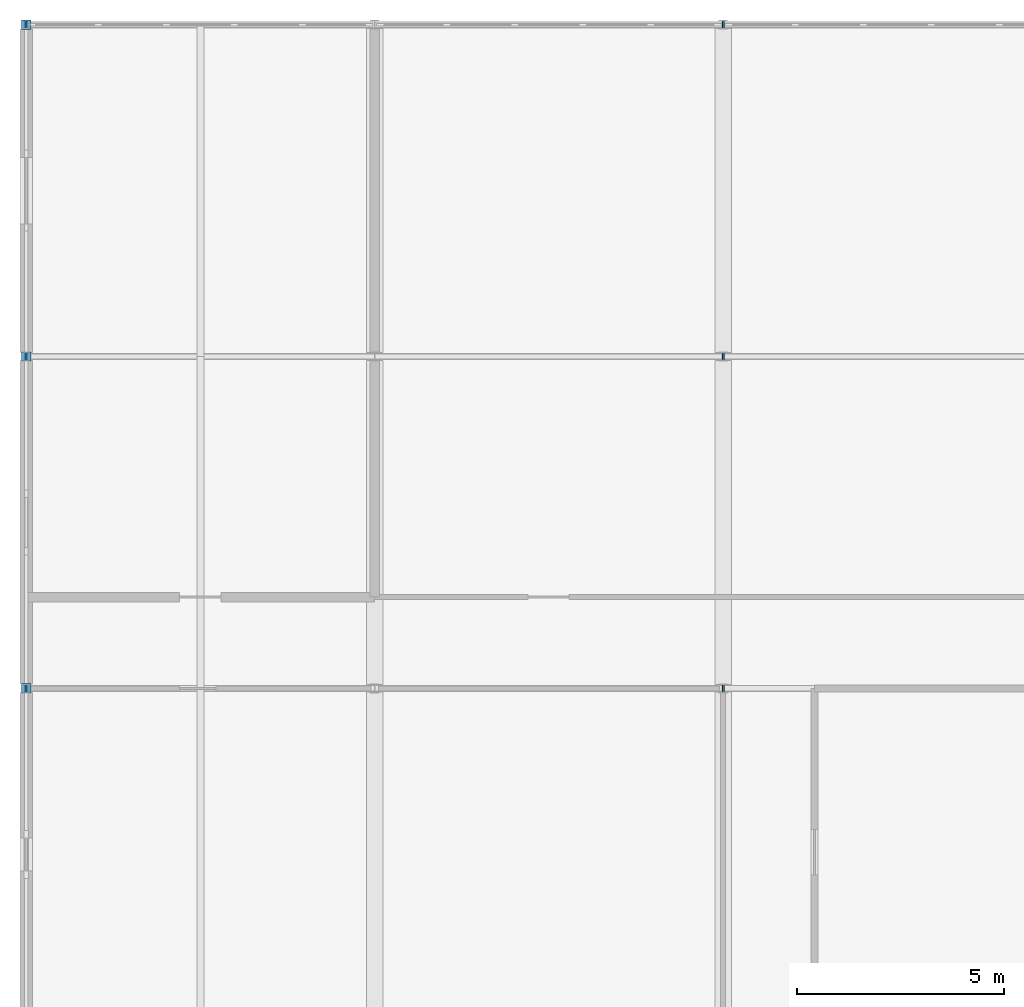
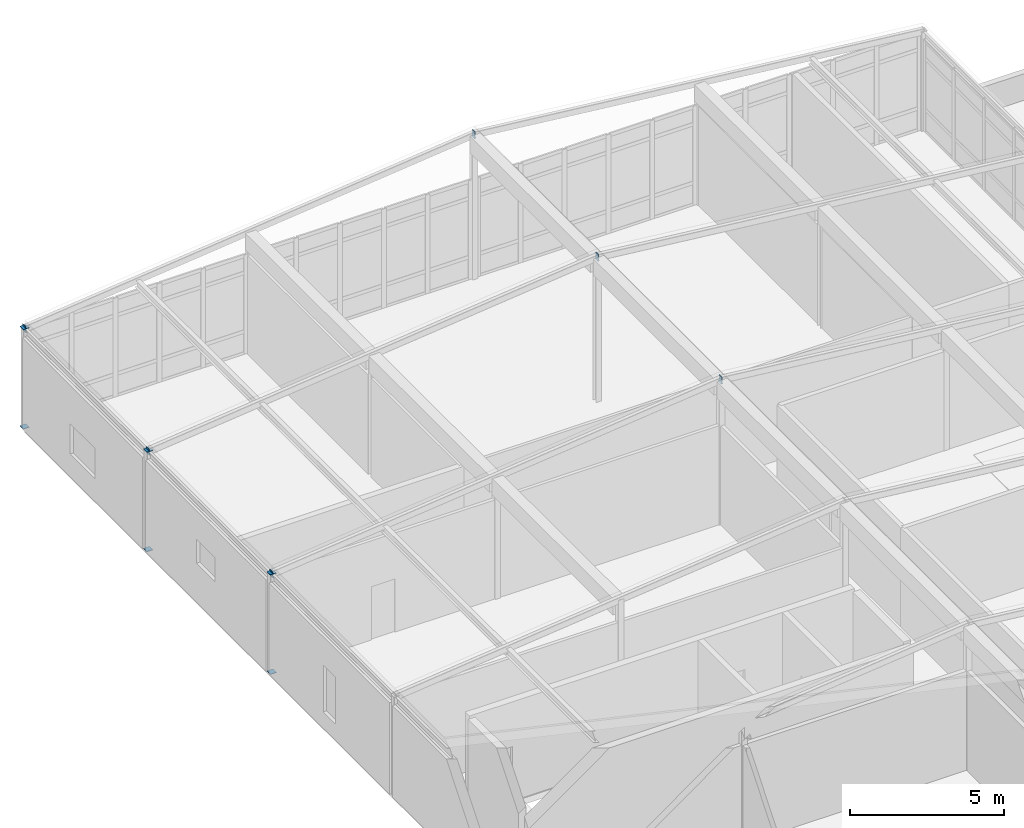
# One storey, part 23 of 25: 15 discrete accessories.
"""IFC4 building model written with IfcOpenShell, lengths in metres."""

from ifc_helpers import new_model, si_unit, direction, frame, origin, origin_2d, place, context, subcontext, project, spatial, rectangle, extrude, material, layer, layer_set, type_object, element, save


model = new_model("IFC4")

# Units and contexts
model_context = context("Model", 3, precision=1e-05, world=origin(), true_north=direction((0.0, 1.0)))
body_context = subcontext(model_context, "Body", "Model", "MODEL_VIEW")
ifc_project = project(units=[si_unit("LENGTHUNIT", "METRE"), si_unit("AREAUNIT", "SQUARE_METRE"), si_unit("VOLUMEUNIT", "CUBIC_METRE"), si_unit("PLANEANGLEUNIT", "RADIAN"), si_unit("MASSUNIT", "GRAM", prefix="KILO")], contexts=[model_context])

# Site, building, storey
site_placement = place(None, origin())
site = spatial("IfcSite", under=ifc_project, at=site_placement, CompositionType="ELEMENT")
building_placement = place(site_placement, origin())
building = spatial("IfcBuilding", under=site, at=building_placement, Name="Kranzveld Transit Interchange", CompositionType="ELEMENT")
storey_placement = place(building_placement, frame((0.0, 0.0, 21.0400390625)))
storey = spatial("IfcBuildingStorey", under=building, at=storey_placement, Name="L05", CompositionType="ELEMENT", Elevation=21.0400390625)

# Discrete accessories
ifc_material = material(Name="Steel S355JR", Category="steel")
ifc_layer = layer(ifc_material, 0.02001953125)
ifc_layer_set = layer_set([ifc_layer], Name="Steel S355JR")
discrete_accessory_type = type_object("IfcDiscreteAccessoryType", Name="Hollow Section End Cap Bracket 20 S355JR", PredefinedType="BRACKET", material=ifc_layer_set)
for number, where, z_axis, x_axis, name in (
    (1, (0.0, 96.0, 0.00390625), (0.0, 0.0, -1.0), (1.0, 0.0, 0.0), "Hollow Section End Cap C-SHS200-1"),
    (2, (0.0, 96.0, 3.916015625), (0.0, 0.0, 1.0), (1.0, 0.0, 0.0), "Hollow Section End Cap C-SHS200-2"),
    (3, (0.0, 104.0, 0.00390625), (0.0, 0.0, -1.0), (1.0, 0.0, 0.0), "Hollow Section End Cap C-SHS200-1"),
    (4, (0.0, 104.0, 3.916015625), (0.0, 0.0, 1.0), (1.0, 0.0, 0.0), "Hollow Section End Cap C-SHS200-2"),
    (5, (0.0, 112.0, 0.00390625), (0.0, 0.0, -1.0), (1.0, 0.0, 0.0), "Hollow Section End Cap C-SHS200-1"),
    (6, (0.0, 112.0, 3.916015625), (0.0, 0.0, 1.0), (1.0, 0.0, 0.0), "Hollow Section End Cap C-SHS200-2"),
):
    element("IfcDiscreteAccessory", number, at=place(storey_placement, frame(where, z_axis=z_axis, x_axis=x_axis)), inside=storey, type_object=discrete_accessory_type, Name=name, PredefinedType="BRACKET", context=body_context, shape_type="SweptSolid", body=[
        extrude(rectangle(XDim=0.22412109375, YDim=0.22412109375, at=origin_2d()), origin(), (0.0, 0.0, 1.0), 0.02001953125),
    ])
for number, where, z_axis, x_axis, name in (
    (7, (0.00390625, 96.0, 3.88037109375), (-0.993883734674, 0.0, -0.110431526075), (0.0, -1.0, 0.0), "Hollow Section End Cap CH-RHS250-1"),
    (8, (16.796142578125, 96.0, 5.679443359375), (0.993883734674, 0.0, 0.110431526075), (0.0, 1.0, 0.0), "Hollow Section End Cap CH-RHS250-2"),
    (9, (16.803955078125, 96.0, 5.679443359375), (-0.993883734674, 0.0, 0.110431526075), (0.0, -1.0, 0.0), "Hollow Section End Cap CH-RHS250-1"),
    (10, (0.00390625, 104.0, 3.88037109375), (-0.993883734674, 0.0, -0.110431526075), (0.0, -1.0, 0.0), "Hollow Section End Cap CH-RHS250-1"),
    (11, (16.796142578125, 104.0, 5.679443359375), (0.993883734674, 0.0, 0.110431526075), (0.0, 1.0, 0.0), "Hollow Section End Cap CH-RHS250-2"),
    (12, (16.803955078125, 104.0, 5.679443359375), (-0.993883734674, 0.0, 0.110431526075), (0.0, -1.0, 0.0), "Hollow Section End Cap CH-RHS250-1"),
    (13, (0.00390625, 112.0, 3.88037109375), (-0.993883734674, 0.0, -0.110431526075), (0.0, -1.0, 0.0), "Hollow Section End Cap CH-RHS250-1"),
    (14, (16.796142578125, 112.0, 5.679443359375), (0.993883734674, 0.0, 0.110431526075), (0.0, 1.0, 0.0), "Hollow Section End Cap CH-RHS250-2"),
    (15, (16.803955078125, 112.0, 5.679443359375), (-0.993883734674, 0.0, 0.110431526075), (0.0, -1.0, 0.0), "Hollow Section End Cap CH-RHS250-1"),
):
    element("IfcDiscreteAccessory", number, at=place(storey_placement, frame(where, z_axis=z_axis, x_axis=x_axis)), inside=storey, type_object=discrete_accessory_type, Name=name, PredefinedType="BRACKET", context=body_context, shape_type="SweptSolid", body=[
        extrude(rectangle(XDim=0.174072265625, YDim=0.27392578125, at=origin_2d()), origin(), (0.0, 0.0, 1.0), 0.019775390625),
    ])

save(model, "model.ifc")
